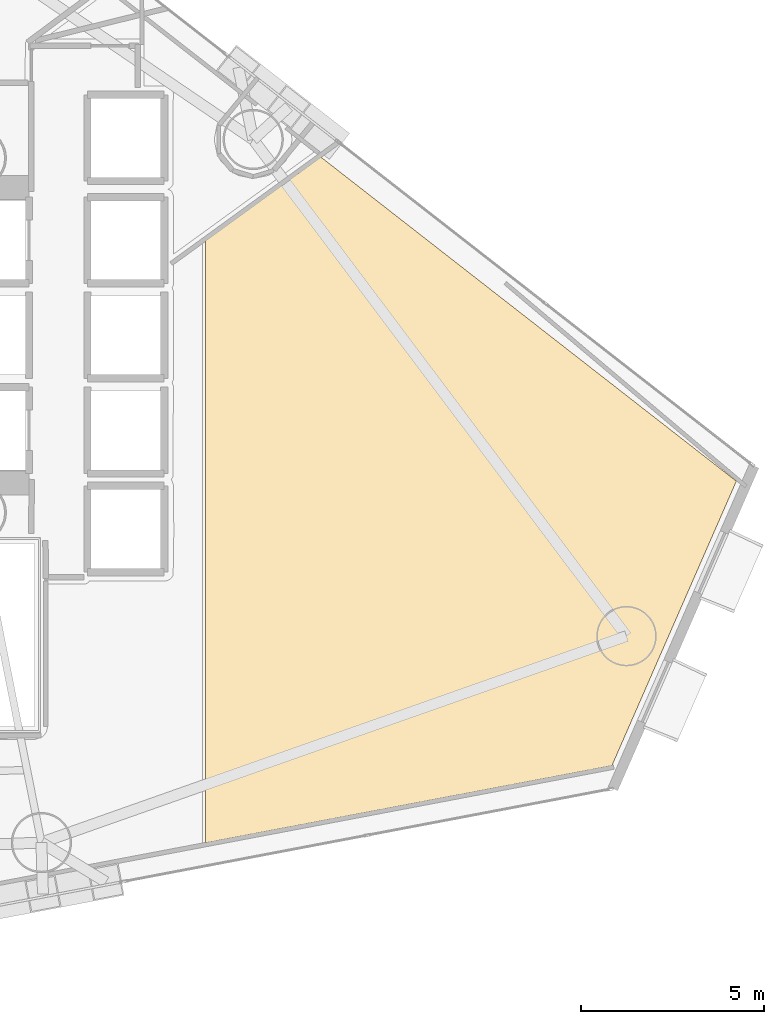
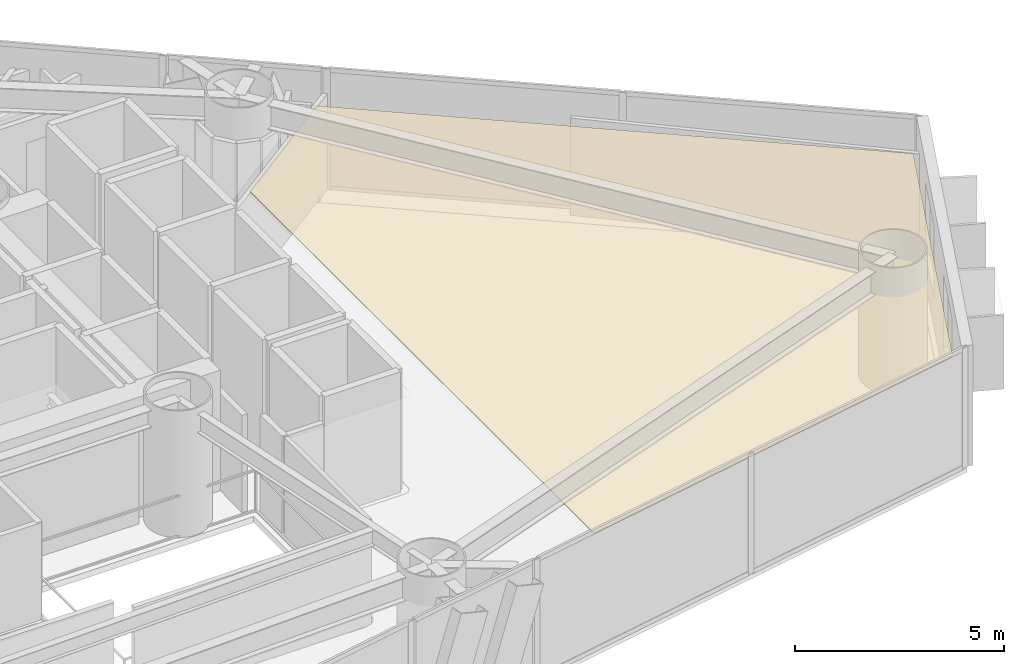
# One storey, part 23 of 23: 1 covering.
"""IFC4 building model written with IfcOpenShell, lengths in metres."""

from ifc_helpers import new_model, si_unit, direction, frame, origin, place, context, subcontext, project, spatial, polyline, outline, extrude, material, layer, layer_set, type_object, element, save


model = new_model("IFC4")

# Units and contexts
model_context = context("Model", 3, precision=1e-05, world=origin(), true_north=direction((0.0, 1.0)))
body_context = subcontext(model_context, "Body", "Model", "MODEL_VIEW")
ifc_project = project(units=[si_unit("LENGTHUNIT", "METRE"), si_unit("AREAUNIT", "SQUARE_METRE"), si_unit("VOLUMEUNIT", "CUBIC_METRE"), si_unit("PLANEANGLEUNIT", "RADIAN"), si_unit("MASSUNIT", "GRAM", prefix="KILO")], contexts=[model_context])

# Site, building, storey
site_placement = place(None, origin())
site = spatial("IfcSite", under=ifc_project, at=site_placement, CompositionType="ELEMENT")
building_placement = place(site_placement, origin())
building = spatial("IfcBuilding", under=site, at=building_placement, Name="Qianvela Tower", CompositionType="ELEMENT")
storey_placement = place(building_placement, frame((0.0, 0.0, 85.800048828125)))
storey = spatial("IfcBuildingStorey", under=building, at=storey_placement, Name="L21", CompositionType="ELEMENT", Elevation=85.800048828125)

# Covering
ifc_material = material(Name="Perforated Mineral Acoustic Ceiling Tile")
ifc_layer = layer(ifc_material, 0.02490234375)
ifc_layer_set = layer_set([ifc_layer], Name="Perforated Mineral Acoustic Ceiling Tile")
covering_type = type_object("IfcCoveringType", Name="COV-CEIL-ACOUSTIC-25", PredefinedType="CEILING", material=ifc_layer_set)
covering_placement = place(storey_placement, frame((0.0, 0.0, 2.81494140625)))
element("IfcCovering", 1, at=covering_placement, inside=storey, type_object=covering_type, Name="L21 Acoustic Ceiling Bay 2 Quiet Desk Workspace L21-02", PredefinedType="CEILING", context=body_context, shape_type="SweptSolid", body=[
    extrude(outline(polyline([(47.838134765625, 33.57421875), (59.204833984375, 24.70849609375), (55.80029296875, 16.924560546875), (44.674560546875, 14.8115234375), (44.674560546875, 31.278564453125), (47.838134765625, 33.57421875)])), origin(), (0.0, 0.0, 1.0), 0.02490234375),
])

save(model, "model.ifc")
